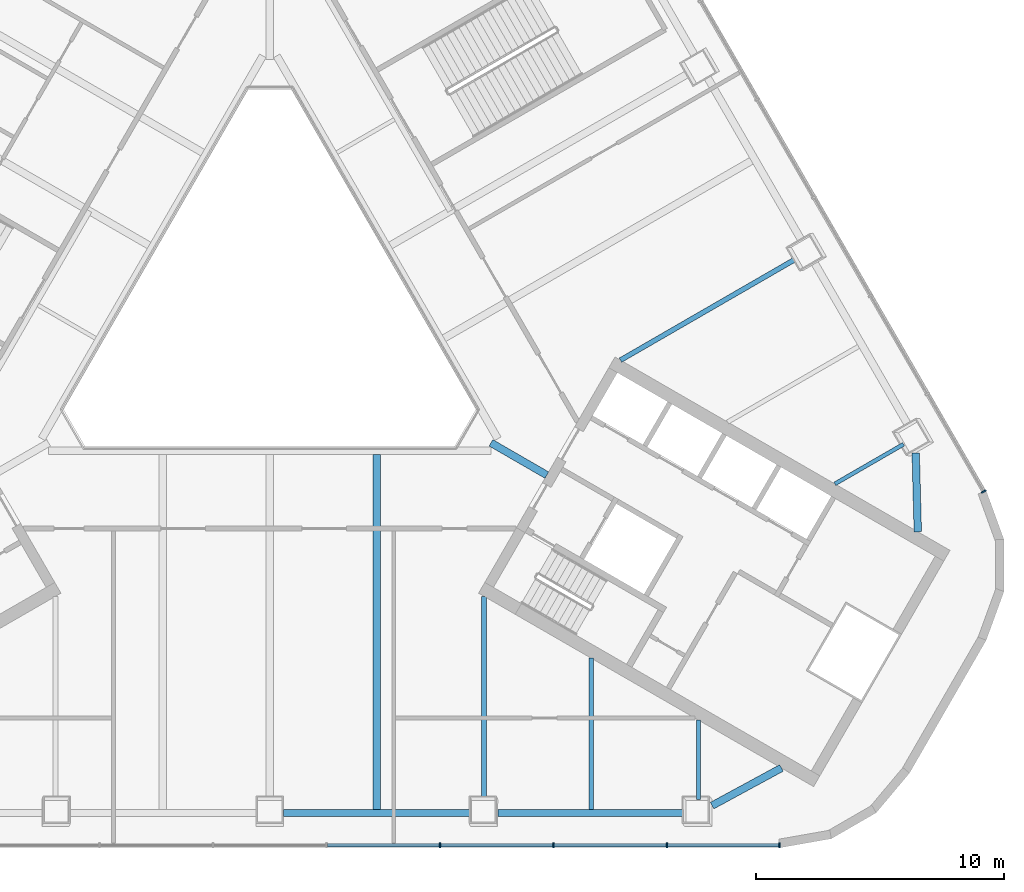
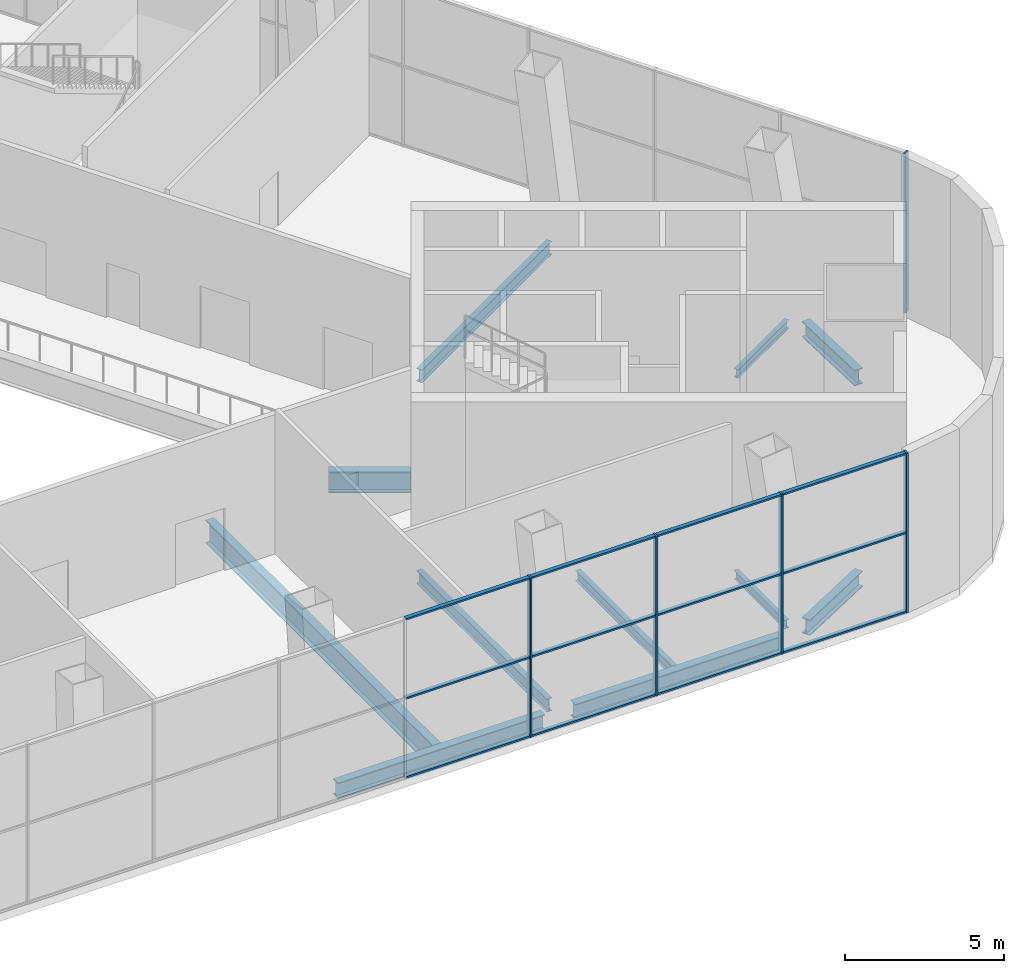
# One storey, part 5 of 17: 17 members, 11 beams, 2 elements without a shape of their own.
"""IFC4 building model written with IfcOpenShell, lengths in metres."""

from ifc_helpers import new_model, si_unit, direction, frame, origin, origin_2d, place, context, subcontext, project, spatial, rectangle, i_section, extrude, material, layer, layer_set, material_profile, profile_set, type_object, element, aggregate, save


model = new_model("IFC4")

# Units and contexts
model_context = context("Model", 3, precision=1e-05, world=origin(), true_north=direction((0.0, 1.0)))
body_context = subcontext(model_context, "Body", "Model", "MODEL_VIEW")
ifc_project = project(units=[si_unit("LENGTHUNIT", "METRE"), si_unit("AREAUNIT", "SQUARE_METRE"), si_unit("VOLUMEUNIT", "CUBIC_METRE"), si_unit("PLANEANGLEUNIT", "RADIAN"), si_unit("MASSUNIT", "GRAM", prefix="KILO")], contexts=[model_context])

# Site, building, storey
site_placement = place(None, origin())
site = spatial("IfcSite", under=ifc_project, at=site_placement, CompositionType="ELEMENT")
building_placement = place(site_placement, origin())
building = spatial("IfcBuilding", under=site, at=building_placement, Name="Apuvela Tower Hotel", CompositionType="ELEMENT")
storey_placement = place(building_placement, frame((0.0, 0.0, 9.0)))
storey = spatial("IfcBuildingStorey", under=building, at=storey_placement, Name="L01", CompositionType="ELEMENT", Elevation=9.0)

# Curtain wall, members
ifc_material_1 = material(Name="Aluminium 6063-T6, dark bronze anodised", Category="aluminium")
ifc_layer = layer(ifc_material_1, 0.199951171875)
ifc_layer_set = layer_set([ifc_layer], Name="ENV-CW-P")
curtain_wall_type = type_object("IfcCurtainWallType", Name="ENV-CW-P", PredefinedType="NOTDEFINED", material=ifc_layer_set)
curtain_wall_1_placement = place(storey_placement, origin())
curtain_wall_1 = element("IfcCurtainWall", 1, at=curtain_wall_1_placement, inside=storey, type_object=curtain_wall_type, Name="Curtain wall CW-P S L01", PredefinedType="NOTDEFINED")
ifc_material_profile_1 = material_profile(ifc_material_1, rectangle(XDim=0.199951171875, YDim=0.06494140625, at=origin_2d()), Name="AL 65x200")
ifc_profile_set_1 = profile_set([ifc_material_profile_1], Name="Aluminium 6063-T6, dark bronze anodised")
member_type_1 = type_object("IfcMemberType", Name="ENV-MULLION-65x200", PredefinedType="MULLION", material=ifc_profile_set_1)
member_1_placement = place(storey_placement, frame((6.862548828125, -21.37841796875, 0.0), z_axis=(0.0, 0.0, 1.0), x_axis=(0.0, 1.0, 0.0)))
member_1 = element("IfcMember", 2, at=member_1_placement, type_object=member_type_1, Name="CW-P mullion 7", PredefinedType="MULLION", context=body_context, shape_type="SweptSolid", body=[
    extrude(rectangle(XDim=0.199951171875, YDim=0.06494140625, at=origin_2d()), origin(), (0.0, 0.0, 1.0), 6.14990234375),
])
member_2_placement = place(storey_placement, frame((11.4375, -21.37841796875, 0.0), z_axis=(0.0, 0.0, 1.0), x_axis=(0.0, 1.0, 0.0)))
member_2 = element("IfcMember", 3, at=member_2_placement, type_object=member_type_1, Name="CW-P mullion 8", PredefinedType="MULLION", context=body_context, shape_type="SweptSolid", body=[
    extrude(rectangle(XDim=0.199951171875, YDim=0.06494140625, at=origin_2d()), origin(), (0.0, 0.0, 1.0), 6.14990234375),
])
member_3_placement = place(storey_placement, frame((16.012451171875, -21.37841796875, 0.0), z_axis=(0.0, 0.0, 1.0), x_axis=(0.0, 1.0, 0.0)))
member_3 = element("IfcMember", 4, at=member_3_placement, type_object=member_type_1, Name="CW-P mullion 9", PredefinedType="MULLION", context=body_context, shape_type="SweptSolid", body=[
    extrude(rectangle(XDim=0.199951171875, YDim=0.06494140625, at=origin_2d()), origin(), (0.0, 0.0, 1.0), 6.14990234375),
])
member_4_placement = place(storey_placement, frame((20.554931640625, -21.37841796875, 0.0), z_axis=(0.0, 0.0, 1.0), x_axis=(0.0, 1.0, 0.0)))
member_4 = element("IfcMember", 5, at=member_4_placement, type_object=member_type_1, Name="CW-P mullion 10", PredefinedType="MULLION", context=body_context, shape_type="SweptSolid", body=[
    extrude(rectangle(XDim=0.199951171875, YDim=0.06494140625, at=origin_2d()), origin(), (0.0, 0.0, 1.0), 6.14990234375),
])

# Curtain wall, member
curtain_wall_2_placement = place(storey_placement, origin())
curtain_wall_2 = element("IfcCurtainWall", 6, at=curtain_wall_2_placement, inside=storey, type_object=curtain_wall_type, Name="Curtain wall CW-P NE L01", PredefinedType="NOTDEFINED")
member_5_placement = place(storey_placement, frame((28.791748046875, -7.112060546875, 0.0), z_axis=(0.0, 0.0, 1.0), x_axis=(-0.866025428062, -0.49999995795, 0.0)))
member_5 = element("IfcMember", 7, at=member_5_placement, type_object=member_type_1, Name="CW-P mullion 1", PredefinedType="MULLION", context=body_context, shape_type="SweptSolid", body=[
    extrude(rectangle(XDim=0.199951171875, YDim=0.06494140625, at=origin_2d()), origin(), (0.0, 0.0, 1.0), 6.14990234375),
])
aggregate(curtain_wall_2, [member_5])

# Member
ifc_material_profile_2 = material_profile(ifc_material_1, rectangle(XDim=0.14990234375, YDim=0.06494140625, at=origin_2d()), Name="AL 65x150 transom")
ifc_profile_set_2 = profile_set([ifc_material_profile_2], Name="Aluminium 6063-T6, dark bronze anodised")
member_type_2 = type_object("IfcMemberType", Name="ENV-TRANSOM-65x150", PredefinedType="USERDEFINED", material=ifc_profile_set_2)
member_6_placement = place(storey_placement, frame((2.320068359375, -21.37841796875, 0.032470703125), z_axis=(1.0, 0.0, 0.0), x_axis=(0.0, 1.0, 0.0)))
member_6 = element("IfcMember", 8, at=member_6_placement, type_object=member_type_2, Name="CW-P transom 6.1", ObjectType="TRANSOM", PredefinedType="USERDEFINED", context=body_context, shape_type="SweptSolid", body=[
    extrude(rectangle(XDim=0.14990234375, YDim=0.06494140625, at=origin_2d()), origin(), (0.0, 0.0, 1.0), 4.510009765625),
])

member_7_placement = place(storey_placement, frame((2.320068359375, -21.37841796875, 3.074951171875), z_axis=(1.0, 0.0, 0.0), x_axis=(0.0, 1.0, 0.0)))
member_7 = element("IfcMember", 9, at=member_7_placement, type_object=member_type_2, Name="CW-P transom 6.2", ObjectType="TRANSOM", PredefinedType="USERDEFINED", context=body_context, shape_type="SweptSolid", body=[
    extrude(rectangle(XDim=0.14990234375, YDim=0.06494140625, at=origin_2d()), origin(), (0.0, 0.0, 1.0), 4.510009765625),
])

member_8_placement = place(storey_placement, frame((2.320068359375, -21.37841796875, 6.117431640625), z_axis=(1.0, 0.0, 0.0), x_axis=(0.0, 1.0, 0.0)))
member_8 = element("IfcMember", 10, at=member_8_placement, type_object=member_type_2, Name="CW-P transom 6.3", ObjectType="TRANSOM", PredefinedType="USERDEFINED", context=body_context, shape_type="SweptSolid", body=[
    extrude(rectangle(XDim=0.14990234375, YDim=0.06494140625, at=origin_2d()), origin(), (0.0, 0.0, 1.0), 4.510009765625),
])

member_9_placement = place(storey_placement, frame((6.89501953125, -21.37841796875, 0.032470703125), z_axis=(1.0, 0.0, 0.0), x_axis=(0.0, 1.0, 0.0)))
member_9 = element("IfcMember", 11, at=member_9_placement, type_object=member_type_2, Name="CW-P transom 7.1", ObjectType="TRANSOM", PredefinedType="USERDEFINED", context=body_context, shape_type="SweptSolid", body=[
    extrude(rectangle(XDim=0.14990234375, YDim=0.06494140625, at=origin_2d()), origin(), (0.0, 0.0, 1.0), 4.510009765625),
])

member_10_placement = place(storey_placement, frame((6.89501953125, -21.37841796875, 3.074951171875), z_axis=(1.0, 0.0, 0.0), x_axis=(0.0, 1.0, 0.0)))
member_10 = element("IfcMember", 12, at=member_10_placement, type_object=member_type_2, Name="CW-P transom 7.2", ObjectType="TRANSOM", PredefinedType="USERDEFINED", context=body_context, shape_type="SweptSolid", body=[
    extrude(rectangle(XDim=0.14990234375, YDim=0.06494140625, at=origin_2d()), origin(), (0.0, 0.0, 1.0), 4.510009765625),
])

member_11_placement = place(storey_placement, frame((6.89501953125, -21.37841796875, 6.117431640625), z_axis=(1.0, 0.0, 0.0), x_axis=(0.0, 1.0, 0.0)))
member_11 = element("IfcMember", 13, at=member_11_placement, type_object=member_type_2, Name="CW-P transom 7.3", ObjectType="TRANSOM", PredefinedType="USERDEFINED", context=body_context, shape_type="SweptSolid", body=[
    extrude(rectangle(XDim=0.14990234375, YDim=0.06494140625, at=origin_2d()), origin(), (0.0, 0.0, 1.0), 4.510009765625),
])

member_12_placement = place(storey_placement, frame((11.469970703125, -21.37841796875, 0.032470703125), z_axis=(1.0, 0.0, 0.0), x_axis=(0.0, 1.0, 0.0)))
member_12 = element("IfcMember", 14, at=member_12_placement, type_object=member_type_2, Name="CW-P transom 8.1", ObjectType="TRANSOM", PredefinedType="USERDEFINED", context=body_context, shape_type="SweptSolid", body=[
    extrude(rectangle(XDim=0.14990234375, YDim=0.06494140625, at=origin_2d()), origin(), (0.0, 0.0, 1.0), 4.510009765625),
])

member_13_placement = place(storey_placement, frame((11.469970703125, -21.37841796875, 3.074951171875), z_axis=(1.0, 0.0, 0.0), x_axis=(0.0, 1.0, 0.0)))
member_13 = element("IfcMember", 15, at=member_13_placement, type_object=member_type_2, Name="CW-P transom 8.2", ObjectType="TRANSOM", PredefinedType="USERDEFINED", context=body_context, shape_type="SweptSolid", body=[
    extrude(rectangle(XDim=0.14990234375, YDim=0.06494140625, at=origin_2d()), origin(), (0.0, 0.0, 1.0), 4.510009765625),
])

member_14_placement = place(storey_placement, frame((11.469970703125, -21.37841796875, 6.117431640625), z_axis=(1.0, 0.0, 0.0), x_axis=(0.0, 1.0, 0.0)))
member_14 = element("IfcMember", 16, at=member_14_placement, type_object=member_type_2, Name="CW-P transom 8.3", ObjectType="TRANSOM", PredefinedType="USERDEFINED", context=body_context, shape_type="SweptSolid", body=[
    extrude(rectangle(XDim=0.14990234375, YDim=0.06494140625, at=origin_2d()), origin(), (0.0, 0.0, 1.0), 4.510009765625),
])

member_15_placement = place(storey_placement, frame((16.044921875, -21.37841796875, 0.032470703125), z_axis=(1.0, 0.0, 0.0), x_axis=(0.0, 1.0, 0.0)))
member_15 = element("IfcMember", 17, at=member_15_placement, type_object=member_type_2, Name="CW-P transom 9.1", ObjectType="TRANSOM", PredefinedType="USERDEFINED", context=body_context, shape_type="SweptSolid", body=[
    extrude(rectangle(XDim=0.14990234375, YDim=0.06494140625, at=origin_2d()), origin(), (0.0, 0.0, 1.0), 4.4775390625),
])

member_16_placement = place(storey_placement, frame((16.044921875, -21.37841796875, 3.074951171875), z_axis=(1.0, 0.0, 0.0), x_axis=(0.0, 1.0, 0.0)))
member_16 = element("IfcMember", 18, at=member_16_placement, type_object=member_type_2, Name="CW-P transom 9.2", ObjectType="TRANSOM", PredefinedType="USERDEFINED", context=body_context, shape_type="SweptSolid", body=[
    extrude(rectangle(XDim=0.14990234375, YDim=0.06494140625, at=origin_2d()), origin(), (0.0, 0.0, 1.0), 4.4775390625),
])

member_17_placement = place(storey_placement, frame((16.044921875, -21.37841796875, 6.117431640625), z_axis=(1.0, 0.0, 0.0), x_axis=(0.0, 1.0, 0.0)))
member_17 = element("IfcMember", 19, at=member_17_placement, type_object=member_type_2, Name="CW-P transom 9.3", ObjectType="TRANSOM", PredefinedType="USERDEFINED", context=body_context, shape_type="SweptSolid", body=[
    extrude(rectangle(XDim=0.14990234375, YDim=0.06494140625, at=origin_2d()), origin(), (0.0, 0.0, 1.0), 4.4775390625),
])

aggregate(curtain_wall_1, [member_1, member_2, member_3, member_4, member_6, member_7, member_8, member_9, member_10, member_11, member_12, member_13, member_14, member_15, member_16, member_17])

# Beams
ifc_material_2 = material(Name="Steel S355", Category="steel")
ifc_material_profile_3 = material_profile(ifc_material_2, i_section(OverallWidth=0.300048828125, OverallDepth=0.889892578125, WebThickness=0.01611328125, FlangeThickness=0.030029296875, at=origin_2d()), Name="HE 900 A")
ifc_profile_set_3 = profile_set([ifc_material_profile_3], Name="Steel S355")
beam_type_1 = type_object("IfcBeamType", Name="STR-B floor beam HE 900 A", PredefinedType="BEAM", material=ifc_profile_set_3)
beam_1_placement = place(storey_placement, frame((4.322021484375, -19.92822265625, -0.7451171875), z_axis=(0.0, 1.0, 0.0), x_axis=(-1.0, 0.0, 0.0)))
element("IfcBeam", 20, at=beam_1_placement, inside=storey, type_object=beam_type_1, Name="Floor beam B4 S6", PredefinedType="BEAM", context=body_context, shape_type="SweptSolid", body=[
    extrude(i_section(OverallWidth=0.300048828125, OverallDepth=0.889892578125, WebThickness=0.01611328125, FlangeThickness=0.030029296875, at=origin_2d()), origin(), (0.0, 0.0, 1.0), 14.30615234375),
])
ifc_material_profile_4 = material_profile(ifc_material_2, i_section(OverallWidth=0.159912109375, OverallDepth=0.330078125, WebThickness=0.007568359375, FlangeThickness=0.011474609375, at=origin_2d()), Name="IPE 330")
ifc_profile_set_4 = profile_set([ifc_material_profile_4], Name="Steel S355")
beam_type_2 = type_object("IfcBeamType", Name="STR-B floor beam IPE 330", PredefinedType="BEAM", material=ifc_profile_set_4)
for number, where, z_axis, x_axis, name in (
    (21, (25.555908203125, -5.20751953125, -0.465087890625), (-0.866044409959, -0.499967078895, 0.0), (0.499967078895, -0.866044409959, 0.0), "Floor beam B1 NE1"),
    (22, (17.28759765625, -19.5283203125, -0.465087890625), (0.0, 1.0, 0.0), (-1.0, 0.0, 0.0), "Floor beam B1 S9"),
):
    element("IfcBeam", number, at=place(storey_placement, frame(where, z_axis=z_axis, x_axis=x_axis)), inside=storey, type_object=beam_type_2, Name=name, PredefinedType="BEAM", context=body_context, shape_type="SweptSolid", body=[
        extrude(i_section(OverallWidth=0.159912109375, OverallDepth=0.330078125, WebThickness=0.007568359375, FlangeThickness=0.011474609375, at=origin_2d()), origin(), (0.0, 0.0, 1.0), 3.196533203125),
    ])
ifc_material_profile_5 = material_profile(ifc_material_2, i_section(OverallWidth=0.179931640625, OverallDepth=0.39990234375, WebThickness=0.008544921875, FlangeThickness=0.013427734375, at=origin_2d()), Name="IPE 400")
ifc_profile_set_5 = profile_set([ifc_material_profile_5], Name="Steel S355")
beam_type_3 = type_object("IfcBeamType", Name="STR-B floor beam IPE 400", PredefinedType="BEAM", material=ifc_profile_set_5)
beam_2_placement = place(storey_placement, frame((12.9658203125, -19.92822265625, -0.5), z_axis=(0.0, 1.0, 0.0), x_axis=(-1.0, 0.0, 0.0)))
element("IfcBeam", 23, at=beam_2_placement, inside=storey, type_object=beam_type_3, Name="Floor beam B2 S8", PredefinedType="BEAM", context=body_context, shape_type="SweptSolid", body=[
    extrude(i_section(OverallWidth=0.179931640625, OverallDepth=0.39990234375, WebThickness=0.008544921875, FlangeThickness=0.013427734375, at=origin_2d()), origin(), (0.0, 0.0, 1.0), 6.091552734375),
])
ifc_material_profile_6 = material_profile(ifc_material_2, i_section(OverallWidth=0.199951171875, OverallDepth=0.5, WebThickness=0.01025390625, FlangeThickness=0.01611328125, at=origin_2d()), Name="IPE 500")
ifc_profile_set_6 = profile_set([ifc_material_profile_6], Name="Steel S355")
beam_type_4 = type_object("IfcBeamType", Name="STR-B floor beam IPE 500", PredefinedType="BEAM", material=ifc_profile_set_6)
for number, where, z_axis, x_axis, name in (
    (24, (21.23388671875, 2.2783203125, -0.550048828125), (-0.86602319786, -0.500003820754, 0.0), (0.500003820754, -0.86602319786, 0.0), "Floor beam B3 NE3"),
    (25, (8.643798828125, -19.5283203125, -0.550048828125), (0.0, 1.0, 0.0), (-1.0, 0.0, 0.0), "Floor beam B3 S7"),
):
    element("IfcBeam", number, at=place(storey_placement, frame(where, z_axis=z_axis, x_axis=x_axis)), inside=storey, type_object=beam_type_4, Name=name, PredefinedType="BEAM", context=body_context, shape_type="SweptSolid", body=[
        extrude(i_section(OverallWidth=0.199951171875, OverallDepth=0.5, WebThickness=0.01025390625, FlangeThickness=0.01611328125, at=origin_2d()), origin(), (0.0, 0.0, 1.0), 8.18701171875),
    ])
ifc_material_profile_7 = material_profile(ifc_material_2, i_section(OverallWidth=0.300048828125, OverallDepth=0.800048828125, WebThickness=0.017578125, FlangeThickness=0.032958984375, at=origin_2d()), Name="HE 800 B")
ifc_profile_set_7 = profile_set([ifc_material_profile_7], Name="Steel S355")
beam_type_5 = type_object("IfcBeamType", Name="STR-GT core tie beam HE 800 B", PredefinedType="BEAM", material=ifc_profile_set_7)
beam_3_placement = place(storey_placement, frame((11.171630859375, -6.449951171875, -0.699951171875), z_axis=(-0.865997922154, 0.500047596559, 0.0), x_axis=(-0.500047596559, -0.865997922154, 0.0)))
element("IfcBeam", 26, at=beam_3_placement, inside=storey, type_object=beam_type_5, Name="Core tie beam GT1 SE", PredefinedType="BEAM", context=body_context, shape_type="SweptSolid", body=[
    extrude(i_section(OverallWidth=0.300048828125, OverallDepth=0.800048828125, WebThickness=0.017578125, FlangeThickness=0.032958984375, at=origin_2d()), origin(), (0.0, 0.0, 1.0), 2.599853515625),
])
ifc_material_profile_8 = material_profile(ifc_material_2, i_section(OverallWidth=0.300048828125, OverallDepth=0.60009765625, WebThickness=0.015380859375, FlangeThickness=0.030029296875, at=origin_2d()), Name="HE 600 B")
ifc_profile_set_8 = profile_set([ifc_material_profile_8], Name="Steel S355")
beam_type_6 = type_object("IfcBeamType", Name="STR-SB spandrel beam HE 600 B", PredefinedType="SPANDREL", material=ifc_profile_set_8)
beam_4_placement = place(storey_placement, frame((0.550048828125, -20.078369140625, -0.60009765625), z_axis=(1.0, 0.0, 0.0), x_axis=(0.0, 1.0, 0.0)))
element("IfcBeam", 27, at=beam_4_placement, inside=storey, type_object=beam_type_6, Name="Spandrel beam SB1 S3", PredefinedType="SPANDREL", context=body_context, shape_type="SweptSolid", body=[
    extrude(i_section(OverallWidth=0.300048828125, OverallDepth=0.60009765625, WebThickness=0.015380859375, FlangeThickness=0.030029296875, at=origin_2d()), origin(), (0.0, 0.0, 1.0), 7.543701171875),
])
beam_5_placement = place(storey_placement, frame((9.19384765625, -20.078369140625, -0.60009765625), z_axis=(1.0, 0.0, 0.0), x_axis=(0.0, 1.0, 0.0)))
element("IfcBeam", 28, at=beam_5_placement, inside=storey, type_object=beam_type_6, Name="Spandrel beam SB1 S4", PredefinedType="SPANDREL", context=body_context, shape_type="SweptSolid", body=[
    extrude(i_section(OverallWidth=0.300048828125, OverallDepth=0.60009765625, WebThickness=0.015380859375, FlangeThickness=0.030029296875, at=origin_2d()), origin(), (0.0, 0.0, 1.0), 7.5439453125),
])
beam_6_placement = place(storey_placement, frame((17.837646484375, -19.77978515625, -0.60009765625), z_axis=(0.878955499083, 0.476903795991, 0.0), x_axis=(-0.476903795991, 0.878955499083, 0.0)))
element("IfcBeam", 29, at=beam_6_placement, inside=storey, type_object=beam_type_6, Name="Spandrel beam SB1 S5-SE", PredefinedType="SPANDREL", context=body_context, shape_type="SweptSolid", body=[
    extrude(i_section(OverallWidth=0.300048828125, OverallDepth=0.60009765625, WebThickness=0.015380859375, FlangeThickness=0.030029296875, at=origin_2d()), origin(), (0.0, 0.0, 1.0), 3.18017578125),
])
beam_7_placement = place(storey_placement, frame((26.048583984375, -5.55810546875, -0.60009765625), z_axis=(0.026488398363, -0.999649120818, 0.0), x_axis=(0.999649120818, 0.026488398363, 0.0)))
element("IfcBeam", 30, at=beam_7_placement, inside=storey, type_object=beam_type_6, Name="Spandrel beam SB1 NE1-SE", PredefinedType="SPANDREL", context=body_context, shape_type="SweptSolid", body=[
    extrude(i_section(OverallWidth=0.300048828125, OverallDepth=0.60009765625, WebThickness=0.015380859375, FlangeThickness=0.030029296875, at=origin_2d()), origin(), (0.0, 0.0, 1.0), 3.179931640625),
])

save(model, "model.ifc")
